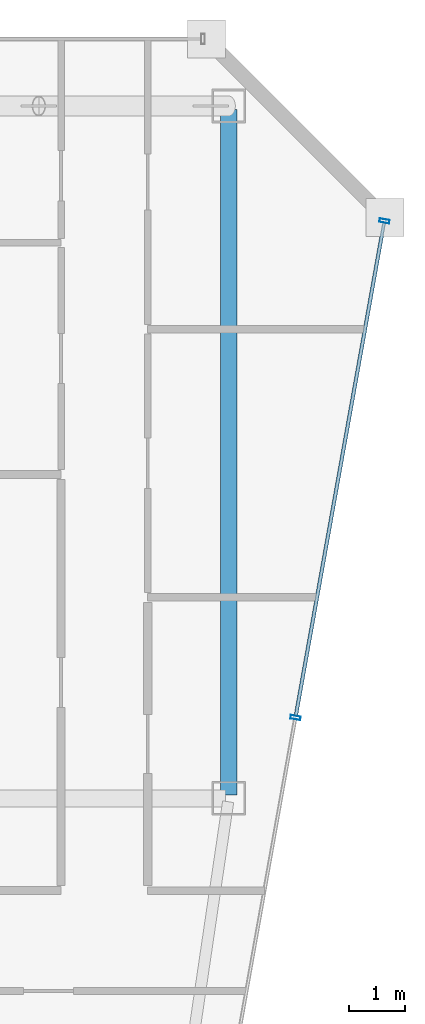
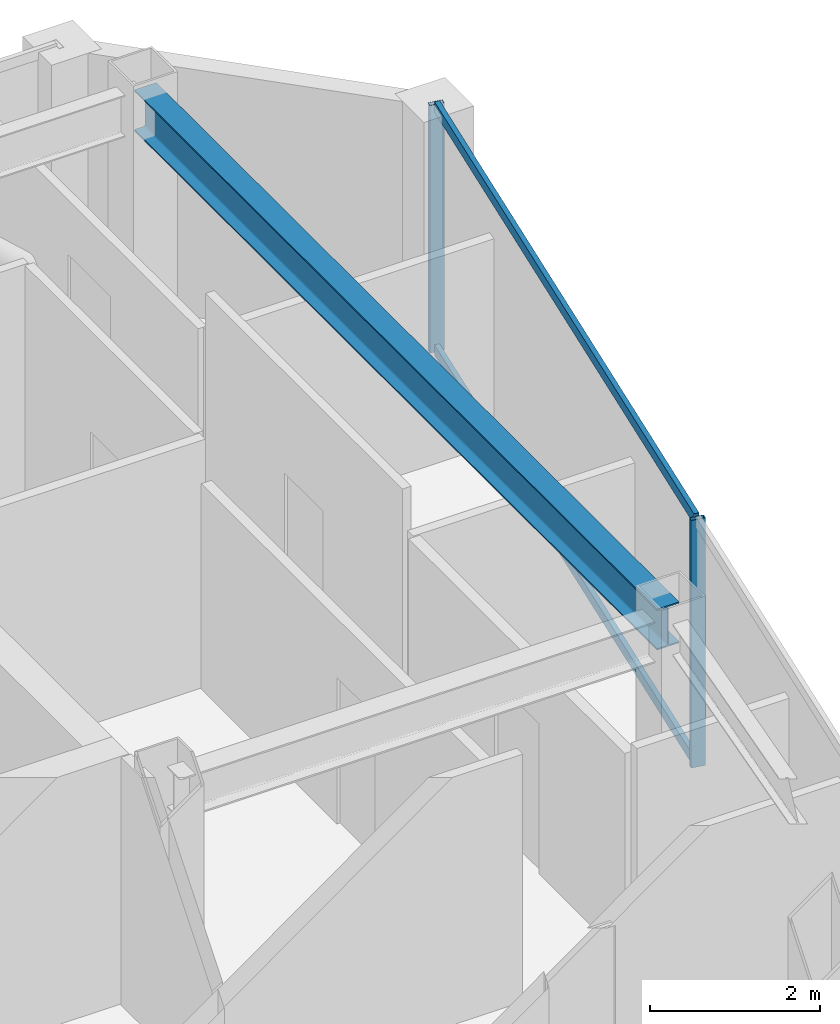
# One storey, part 19 of 32: 4 members, 1 beam, 1 element without a shape of its own.
"""IFC4 building model written with IfcOpenShell, lengths in metres."""

from ifc_helpers import new_model, si_unit, direction, frame, origin, origin_2d, place, context, subcontext, project, spatial, hollow_rectangle, i_section, extrude, material, material_profile, profile_set, type_object, element, aggregate, save


model = new_model("IFC4")

# Units and contexts
model_context = context("Model", 3, precision=1e-05, world=origin(), true_north=direction((0.0, 1.0)))
body_context = subcontext(model_context, "Body", "Model", "MODEL_VIEW")
ifc_project = project(units=[si_unit("LENGTHUNIT", "METRE"), si_unit("AREAUNIT", "SQUARE_METRE"), si_unit("VOLUMEUNIT", "CUBIC_METRE"), si_unit("PLANEANGLEUNIT", "RADIAN"), si_unit("MASSUNIT", "GRAM", prefix="KILO")], contexts=[model_context])

# Site, building, storey
site_placement = place(None, origin())
site = spatial("IfcSite", under=ifc_project, at=site_placement, CompositionType="ELEMENT")
building_placement = place(site_placement, origin())
building = spatial("IfcBuilding", under=site, at=building_placement, Name="Saevonmaru Cultural Tower", CompositionType="ELEMENT")
storey_placement = place(building_placement, frame((0.0, 0.0, 268.60009765625)))
storey = spatial("IfcBuildingStorey", under=building, at=storey_placement, Name="L63", CompositionType="ELEMENT", Elevation=268.60009765625)

# Beam
ifc_material_1 = material(Name="Steel SM355", Category="steel")
ifc_material_profile_1 = material_profile(ifc_material_1, i_section(OverallWidth=0.300048828125, OverallDepth=0.587890625, WebThickness=0.011962890625, FlangeThickness=0.02001953125, FilletRadius=0.02392578125, at=origin_2d()), Name="H-588x300x12x20")
ifc_profile_set_1 = profile_set([ifc_material_profile_1], Name="Steel SM355")
beam_type = type_object("IfcBeamType", Name="BM-G-H588", PredefinedType="BEAM", material=ifc_profile_set_1)
beam_placement = place(storey_placement, frame((53.199951171875, 54.739990234375, 3.255859375), z_axis=(0.0, -1.0, 0.0), x_axis=(1.0, 0.0, 0.0)))
element("IfcBeam", 1, at=beam_placement, inside=storey, type_object=beam_type, Name="L63 Spine Transverse Girder E", PredefinedType="BEAM", context=body_context, shape_type="SweptSolid", body=[
    extrude(i_section(OverallWidth=0.300048828125, OverallDepth=0.587890625, WebThickness=0.011962890625, FlangeThickness=0.02001953125, FilletRadius=0.02392578125, at=origin_2d()), origin(), (0.0, 0.0, 1.0), 12.280029296875),
])

# Curtain wall, members
ifc_material_2 = material(Name="Satin Bronze Anodised Aluminium", Category="aluminium")
curtain_wall_type = type_object("IfcCurtainWallType", Name="CW-TYP-B", PredefinedType="NOTDEFINED", material=ifc_material_2)
curtain_wall_placement = place(storey_placement, origin())
curtain_wall = element("IfcCurtainWall", 2, at=curtain_wall_placement, inside=storey, type_object=curtain_wall_type, Name="L63 Unitised Curtain Wall E8", PredefinedType="NOTDEFINED")
ifc_material_profile_2 = material_profile(ifc_material_2, hollow_rectangle(XDim=0.06494140625, YDim=0.179931640625, WallThickness=0.00390625, at=origin_2d()), Name="ALU-MULL-180x65x4")
ifc_profile_set_2 = profile_set([ifc_material_profile_2], Name="Satin Bronze Anodised Aluminium")
member_type_1 = type_object("IfcMemberType", Name="ML-CW-180x65", PredefinedType="MULLION", material=ifc_profile_set_2)
member_1_placement = place(storey_placement, frame((54.39794921875, 43.846923828125, 0.0), z_axis=(0.0, 0.0, 1.0), x_axis=(0.176140740755, 0.984364993001, 0.0)))
member_1 = element("IfcMember", 3, at=member_1_placement, type_object=member_type_1, Name="CW-TW-L63-E8 mullion 3", PredefinedType="MULLION", context=body_context, shape_type="SweptSolid", body=[
    extrude(hollow_rectangle(XDim=0.06494140625, YDim=0.179931640625, WallThickness=0.00390625, at=origin_2d()), origin(), (0.0, 0.0, 1.0), 3.5498046875),
])
member_2_placement = place(storey_placement, frame((55.989501953125, 52.740966796875, 0.0), z_axis=(0.0, 0.0, 1.0), x_axis=(0.176140740755, 0.984364993001, 0.0)))
member_2 = element("IfcMember", 4, at=member_2_placement, type_object=member_type_1, Name="CW-TW-L63-E8 mullion 4", PredefinedType="MULLION", context=body_context, shape_type="SweptSolid", body=[
    extrude(hollow_rectangle(XDim=0.06494140625, YDim=0.179931640625, WallThickness=0.00390625, at=origin_2d()), origin(), (0.0, 0.0, 1.0), 3.5498046875),
])
ifc_material_profile_3 = material_profile(ifc_material_2, hollow_rectangle(XDim=0.06494140625, YDim=0.14990234375, WallThickness=0.00390625, at=origin_2d()), Name="ALU-TRAN-150x65x4")
ifc_profile_set_3 = profile_set([ifc_material_profile_3], Name="Satin Bronze Anodised Aluminium")
member_type_2 = type_object("IfcMemberType", Name="TR-CW-150x65", PredefinedType="USERDEFINED", material=ifc_profile_set_3)
member_3_placement = place(storey_placement, frame((54.403564453125, 43.87890625, 0.032470703125), z_axis=(0.176144810911, 0.984364264685, 0.0), x_axis=(-0.984364264685, 0.176144810911, 0.0)))
member_3 = element("IfcMember", 5, at=member_3_placement, type_object=member_type_2, Name="CW-TW-L63-E8 transom 3.1", ObjectType="TRANSOM", PredefinedType="USERDEFINED", context=body_context, shape_type="SweptSolid", body=[
    extrude(hollow_rectangle(XDim=0.06494140625, YDim=0.14990234375, WallThickness=0.00390625, at=origin_2d()), origin(), (0.0, 0.0, 1.0), 8.97021484375),
])
member_4_placement = place(storey_placement, frame((54.403564453125, 43.87890625, 3.517333984375), z_axis=(0.176144810911, 0.984364264685, 0.0), x_axis=(-0.984364264685, 0.176144810911, 0.0)))
member_4 = element("IfcMember", 6, at=member_4_placement, type_object=member_type_2, Name="CW-TW-L63-E8 transom 3.2", ObjectType="TRANSOM", PredefinedType="USERDEFINED", context=body_context, shape_type="SweptSolid", body=[
    extrude(hollow_rectangle(XDim=0.06494140625, YDim=0.14990234375, WallThickness=0.00390625, at=origin_2d()), origin(), (0.0, 0.0, 1.0), 8.97021484375),
])
aggregate(curtain_wall, [member_1, member_2, member_3, member_4])

save(model, "model.ifc")
